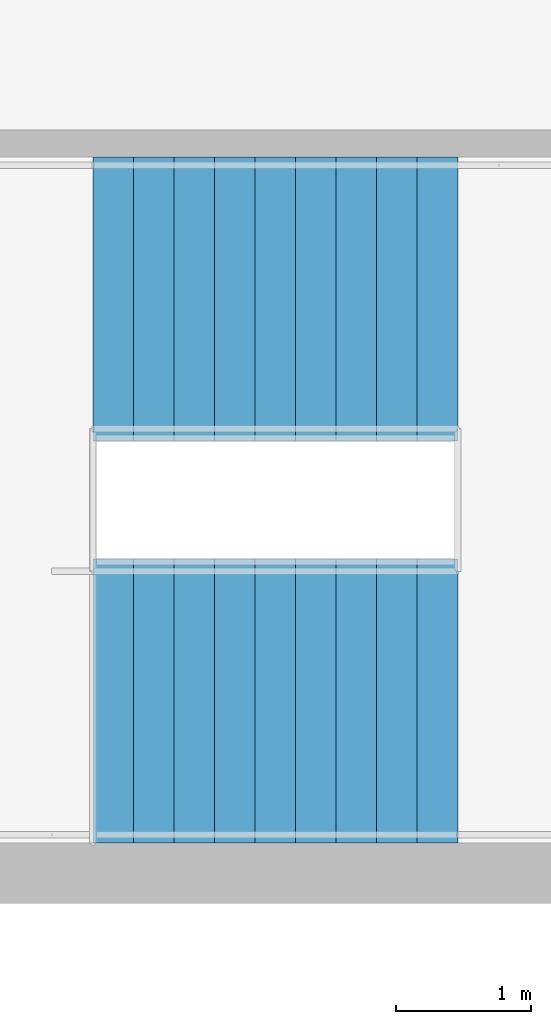
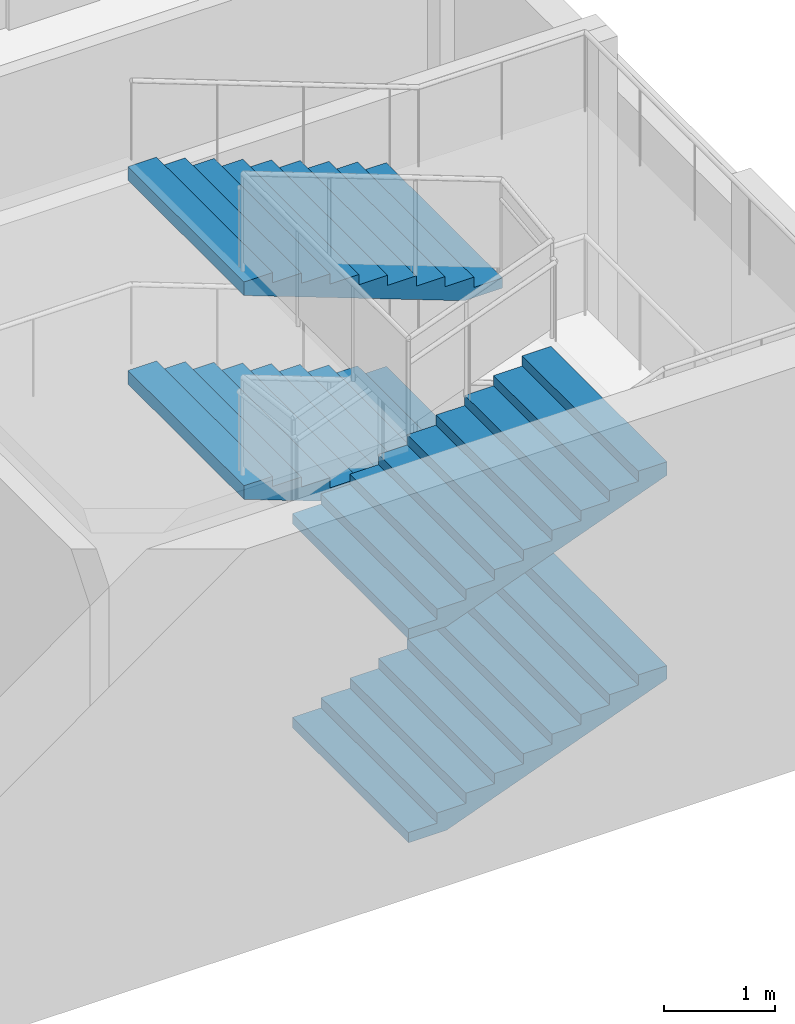
# One storey, part 40 of 56: 4 stair flights, 1 element without a shape of its own.
"""IFC4 building model written with IfcOpenShell, lengths in metres."""

from ifc_helpers import new_model, si_unit, direction, frame, origin, place, context, subcontext, project, spatial, faceted_brep, material, type_object, element, aggregate, save


model = new_model("IFC4")

# Units and contexts
model_context = context("Model", 3, precision=1e-05, world=origin(), true_north=direction((0.0, 1.0)))
body_context = subcontext(model_context, "Body", "Model", "MODEL_VIEW")
ifc_project = project(units=[si_unit("LENGTHUNIT", "METRE"), si_unit("AREAUNIT", "SQUARE_METRE"), si_unit("VOLUMEUNIT", "CUBIC_METRE"), si_unit("PLANEANGLEUNIT", "RADIAN"), si_unit("MASSUNIT", "GRAM", prefix="KILO")], contexts=[model_context])

# Site, building, storey
site_placement = place(None, origin())
site = spatial("IfcSite", under=ifc_project, at=site_placement, CompositionType="ELEMENT")
building_placement = place(site_placement, origin())
building = spatial("IfcBuilding", under=site, at=building_placement, Name="Rulbaag Community and Learning Centre", CompositionType="ELEMENT")
storey_placement = place(building_placement, frame((0.0, 0.0, 9.89990234375)))
storey = spatial("IfcBuildingStorey", under=building, at=storey_placement, Name="L02", CompositionType="ELEMENT", Elevation=9.89990234375)

# Stair, stair flights
ifc_material = material(Name="Concrete M40", Category="concrete")
stair_type = type_object("IfcStairType", Name="ST-2100 STAIR 2100 WIDE", PredefinedType="HALF_TURN_STAIR", material=ifc_material)
stair_placement = place(storey_placement, origin())
stair = element("IfcStair", 1, at=stair_placement, inside=storey, type_object=stair_type, Name="Stair ST-H10 L02", PredefinedType="HALF_TURN_STAIR")
stair_flight_type = type_object("IfcStairFlightType", Name="FL-2100 FLIGHT 2100 WIDE Concrete M40", PredefinedType="STRAIGHT", material=ifc_material)
stair_flight_1_placement = place(storey_placement, frame((162.824951171875, 1.27490234375, 0.0), z_axis=(0.0, 0.0, 1.0), x_axis=(1.0, 0.0, 0.0)))
stair_flight_1 = element("IfcStairFlight", 2, at=stair_flight_1_placement, type_object=stair_flight_type, Name="ST-H10 flight 1", NumberOfRisers=10, NumberOfTreads=9, PredefinedType="STRAIGHT", RiserHeight=0.1125, TreadLength=0.3, context=body_context, shape_type="Brep", body=[
    faceted_brep([(0.3984375, -1.050048828125, 0.0), (2.699951171875, -1.050048828125, 0.863037109375), (2.699951171875, -1.050048828125, 1.012451171875), (2.39990234375, -1.050048828125, 1.012451171875), (2.39990234375, -1.050048828125, 0.89990234375), (2.10009765625, -1.050048828125, 0.89990234375), (2.10009765625, -1.050048828125, 0.78759765625), (1.800048828125, -1.050048828125, 0.78759765625), (1.800048828125, -1.050048828125, 0.675048828125), (1.5, -1.050048828125, 0.675048828125), (1.5, -1.050048828125, 0.5625), (1.199951171875, -1.050048828125, 0.5625), (1.199951171875, -1.050048828125, 0.449951171875), (0.89990234375, -1.050048828125, 0.449951171875), (0.89990234375, -1.050048828125, 0.33740234375), (0.60009765625, -1.050048828125, 0.33740234375), (0.60009765625, -1.050048828125, 0.22509765625), (0.300048828125, -1.050048828125, 0.22509765625), (0.300048828125, -1.050048828125, 0.112548828125), (0.0, -1.050048828125, 0.112548828125), (0.0, -1.050048828125, 0.0), (0.0, 1.050048828125, 0.0), (0.0, 1.050048828125, 0.112548828125), (0.300048828125, 1.050048828125, 0.112548828125), (0.300048828125, 1.050048828125, 0.22509765625), (0.60009765625, 1.050048828125, 0.22509765625), (0.60009765625, 1.050048828125, 0.33740234375), (0.89990234375, 1.050048828125, 0.33740234375), (0.89990234375, 1.050048828125, 0.449951171875), (1.199951171875, 1.050048828125, 0.449951171875), (1.199951171875, 1.050048828125, 0.5625), (1.5, 1.050048828125, 0.5625), (1.5, 1.050048828125, 0.675048828125), (1.800048828125, 1.050048828125, 0.675048828125), (1.800048828125, 1.050048828125, 0.78759765625), (2.10009765625, 1.050048828125, 0.78759765625), (2.10009765625, 1.050048828125, 0.89990234375), (2.39990234375, 1.050048828125, 0.89990234375), (2.39990234375, 1.050048828125, 1.012451171875), (2.699951171875, 1.050048828125, 1.012451171875), (2.699951171875, 1.050048828125, 0.863037109375), (0.3984375, 1.050048828125, 0.0), (0.0, -0.52490234375, 0.112548828125), (0.0, -0.52490234375, 0.0), (0.0, 0.0, 0.112548828125), (0.0, 0.0, 0.0), (0.0, 0.52490234375, 0.112548828125), (0.0, 0.52490234375, 0.0), (0.300048828125, -0.52490234375, 0.112548828125), (0.300048828125, 0.0, 0.112548828125), (0.300048828125, 0.52490234375, 0.112548828125), (0.300048828125, -0.52490234375, 0.22509765625), (0.300048828125, 0.0, 0.22509765625), (0.300048828125, 0.52490234375, 0.22509765625), (0.60009765625, -0.52490234375, 0.22509765625), (0.60009765625, 0.0, 0.22509765625), (0.60009765625, 0.52490234375, 0.22509765625), (0.60009765625, -0.52490234375, 0.33740234375), (0.60009765625, 0.0, 0.33740234375), (0.60009765625, 0.52490234375, 0.33740234375), (0.89990234375, -0.52490234375, 0.33740234375), (0.89990234375, 0.0, 0.33740234375), (0.89990234375, 0.52490234375, 0.33740234375), (0.89990234375, -0.52490234375, 0.449951171875), (0.89990234375, 0.0, 0.449951171875), (0.89990234375, 0.52490234375, 0.449951171875), (1.199951171875, -0.52490234375, 0.449951171875), (1.199951171875, 0.0, 0.449951171875), (1.199951171875, 0.52490234375, 0.449951171875), (1.199951171875, -0.52490234375, 0.5625), (1.199951171875, 0.0, 0.5625), (1.199951171875, 0.52490234375, 0.5625), (1.5, -0.52490234375, 0.5625), (1.5, 0.0, 0.5625), (1.5, 0.52490234375, 0.5625), (1.5, -0.52490234375, 0.675048828125), (1.5, 0.0, 0.675048828125), (1.5, 0.52490234375, 0.675048828125), (1.800048828125, -0.52490234375, 0.675048828125), (1.800048828125, 0.0, 0.675048828125), (1.800048828125, 0.52490234375, 0.675048828125), (1.800048828125, -0.52490234375, 0.78759765625), (1.800048828125, 0.0, 0.78759765625), (1.800048828125, 0.52490234375, 0.78759765625), (2.10009765625, -0.52490234375, 0.78759765625), (2.10009765625, 0.0, 0.78759765625), (2.10009765625, 0.52490234375, 0.78759765625), (2.10009765625, -0.52490234375, 0.89990234375), (2.10009765625, 0.0, 0.89990234375), (2.10009765625, 0.52490234375, 0.89990234375), (2.39990234375, -0.52490234375, 0.89990234375), (2.39990234375, 0.0, 0.89990234375), (2.39990234375, 0.52490234375, 0.89990234375), (2.39990234375, -0.52490234375, 1.012451171875), (2.39990234375, 0.0, 1.012451171875), (2.39990234375, 0.52490234375, 1.012451171875), (2.699951171875, -0.52490234375, 1.012451171875), (2.699951171875, 0.0, 1.012451171875), (2.699951171875, 0.52490234375, 1.012451171875), (2.699951171875, -0.52490234375, 0.863037109375), (2.699951171875, 0.0, 0.863037109375), (2.699951171875, 0.52490234375, 0.863037109375), (0.3984375, -0.52490234375, 0.0), (0.3984375, 0.0, 0.0), (0.3984375, 0.52490234375, 0.0)], [[[0, 1, 2, 3, 4, 5, 6, 7, 8, 9, 10, 11, 12, 13, 14, 15, 16, 17, 18, 19, 20]], [[21, 22, 23, 24, 25, 26, 27, 28, 29, 30, 31, 32, 33, 34, 35, 36, 37, 38, 39, 40, 41]], [[20, 19, 42, 43]], [[43, 42, 44, 45]], [[45, 44, 46, 47]], [[47, 46, 22, 21]], [[19, 18, 48, 42]], [[42, 48, 49, 44]], [[44, 49, 50, 46]], [[46, 50, 23, 22]], [[18, 17, 51, 48]], [[48, 51, 52, 49]], [[49, 52, 53, 50]], [[50, 53, 24, 23]], [[17, 16, 54, 51]], [[51, 54, 55, 52]], [[52, 55, 56, 53]], [[53, 56, 25, 24]], [[16, 15, 57, 54]], [[54, 57, 58, 55]], [[55, 58, 59, 56]], [[56, 59, 26, 25]], [[15, 14, 60, 57]], [[57, 60, 61, 58]], [[58, 61, 62, 59]], [[59, 62, 27, 26]], [[14, 13, 63, 60]], [[60, 63, 64, 61]], [[61, 64, 65, 62]], [[62, 65, 28, 27]], [[13, 12, 66, 63]], [[63, 66, 67, 64]], [[64, 67, 68, 65]], [[65, 68, 29, 28]], [[12, 11, 69, 66]], [[66, 69, 70, 67]], [[67, 70, 71, 68]], [[68, 71, 30, 29]], [[11, 10, 72, 69]], [[69, 72, 73, 70]], [[70, 73, 74, 71]], [[71, 74, 31, 30]], [[10, 9, 75, 72]], [[72, 75, 76, 73]], [[73, 76, 77, 74]], [[74, 77, 32, 31]], [[9, 8, 78, 75]], [[75, 78, 79, 76]], [[76, 79, 80, 77]], [[77, 80, 33, 32]], [[8, 7, 81, 78]], [[78, 81, 82, 79]], [[79, 82, 83, 80]], [[80, 83, 34, 33]], [[7, 6, 84, 81]], [[81, 84, 85, 82]], [[82, 85, 86, 83]], [[83, 86, 35, 34]], [[6, 5, 87, 84]], [[84, 87, 88, 85]], [[85, 88, 89, 86]], [[86, 89, 36, 35]], [[5, 4, 90, 87]], [[87, 90, 91, 88]], [[88, 91, 92, 89]], [[89, 92, 37, 36]], [[4, 3, 93, 90]], [[90, 93, 94, 91]], [[91, 94, 95, 92]], [[92, 95, 38, 37]], [[3, 2, 96, 93]], [[93, 96, 97, 94]], [[94, 97, 98, 95]], [[95, 98, 39, 38]], [[2, 1, 99, 96]], [[96, 99, 100, 97]], [[97, 100, 101, 98]], [[98, 101, 40, 39]], [[1, 0, 102, 99]], [[99, 102, 103, 100]], [[100, 103, 104, 101]], [[101, 104, 41, 40]], [[0, 20, 43, 102]], [[102, 43, 45, 103]], [[103, 45, 47, 104]], [[104, 47, 21, 41]]]),
])
stair_flight_2_placement = place(storey_placement, frame((165.52490234375, 4.25, 1.125), z_axis=(0.0, 0.0, 1.0), x_axis=(-1.0, 0.0, 0.0)))
stair_flight_2 = element("IfcStairFlight", 3, at=stair_flight_2_placement, type_object=stair_flight_type, Name="ST-H10 flight 2", NumberOfRisers=10, NumberOfTreads=9, PredefinedType="STRAIGHT", RiserHeight=0.1125, TreadLength=0.3, context=body_context, shape_type="Brep", body=[
    faceted_brep([(0.3984375, -1.050048828125, 0.0), (2.699951171875, -1.050048828125, 0.863037109375), (2.699951171875, -1.050048828125, 1.012451171875), (2.39990234375, -1.050048828125, 1.012451171875), (2.39990234375, -1.050048828125, 0.89990234375), (2.10009765625, -1.050048828125, 0.89990234375), (2.10009765625, -1.050048828125, 0.78759765625), (1.800048828125, -1.050048828125, 0.78759765625), (1.800048828125, -1.050048828125, 0.675048828125), (1.5, -1.050048828125, 0.675048828125), (1.5, -1.050048828125, 0.5625), (1.199951171875, -1.050048828125, 0.5625), (1.199951171875, -1.050048828125, 0.449951171875), (0.89990234375, -1.050048828125, 0.449951171875), (0.89990234375, -1.050048828125, 0.33740234375), (0.60009765625, -1.050048828125, 0.33740234375), (0.60009765625, -1.050048828125, 0.22509765625), (0.300048828125, -1.050048828125, 0.22509765625), (0.300048828125, -1.050048828125, 0.112548828125), (0.0, -1.050048828125, 0.112548828125), (0.0, -1.050048828125, 0.0), (0.0, 1.050048828125, 0.0), (0.0, 1.050048828125, 0.112548828125), (0.300048828125, 1.050048828125, 0.112548828125), (0.300048828125, 1.050048828125, 0.22509765625), (0.60009765625, 1.050048828125, 0.22509765625), (0.60009765625, 1.050048828125, 0.33740234375), (0.89990234375, 1.050048828125, 0.33740234375), (0.89990234375, 1.050048828125, 0.449951171875), (1.199951171875, 1.050048828125, 0.449951171875), (1.199951171875, 1.050048828125, 0.5625), (1.5, 1.050048828125, 0.5625), (1.5, 1.050048828125, 0.675048828125), (1.800048828125, 1.050048828125, 0.675048828125), (1.800048828125, 1.050048828125, 0.78759765625), (2.10009765625, 1.050048828125, 0.78759765625), (2.10009765625, 1.050048828125, 0.89990234375), (2.39990234375, 1.050048828125, 0.89990234375), (2.39990234375, 1.050048828125, 1.012451171875), (2.699951171875, 1.050048828125, 1.012451171875), (2.699951171875, 1.050048828125, 0.863037109375), (0.3984375, 1.050048828125, 0.0), (0.0, -0.52490234375, 0.112548828125), (0.0, -0.52490234375, 0.0), (0.0, 0.0, 0.112548828125), (0.0, 0.0, 0.0), (0.0, 0.52490234375, 0.112548828125), (0.0, 0.52490234375, 0.0), (0.300048828125, -0.52490234375, 0.112548828125), (0.300048828125, 0.0, 0.112548828125), (0.300048828125, 0.52490234375, 0.112548828125), (0.300048828125, -0.52490234375, 0.22509765625), (0.300048828125, 0.0, 0.22509765625), (0.300048828125, 0.52490234375, 0.22509765625), (0.60009765625, -0.52490234375, 0.22509765625), (0.60009765625, 0.0, 0.22509765625), (0.60009765625, 0.52490234375, 0.22509765625), (0.60009765625, -0.52490234375, 0.33740234375), (0.60009765625, 0.0, 0.33740234375), (0.60009765625, 0.52490234375, 0.33740234375), (0.89990234375, -0.52490234375, 0.33740234375), (0.89990234375, 0.0, 0.33740234375), (0.89990234375, 0.52490234375, 0.33740234375), (0.89990234375, -0.52490234375, 0.449951171875), (0.89990234375, 0.0, 0.449951171875), (0.89990234375, 0.52490234375, 0.449951171875), (1.199951171875, -0.52490234375, 0.449951171875), (1.199951171875, 0.0, 0.449951171875), (1.199951171875, 0.52490234375, 0.449951171875), (1.199951171875, -0.52490234375, 0.5625), (1.199951171875, 0.0, 0.5625), (1.199951171875, 0.52490234375, 0.5625), (1.5, -0.52490234375, 0.5625), (1.5, 0.0, 0.5625), (1.5, 0.52490234375, 0.5625), (1.5, -0.52490234375, 0.675048828125), (1.5, 0.0, 0.675048828125), (1.5, 0.52490234375, 0.675048828125), (1.800048828125, -0.52490234375, 0.675048828125), (1.800048828125, 0.0, 0.675048828125), (1.800048828125, 0.52490234375, 0.675048828125), (1.800048828125, -0.52490234375, 0.78759765625), (1.800048828125, 0.0, 0.78759765625), (1.800048828125, 0.52490234375, 0.78759765625), (2.10009765625, -0.52490234375, 0.78759765625), (2.10009765625, 0.0, 0.78759765625), (2.10009765625, 0.52490234375, 0.78759765625), (2.10009765625, -0.52490234375, 0.89990234375), (2.10009765625, 0.0, 0.89990234375), (2.10009765625, 0.52490234375, 0.89990234375), (2.39990234375, -0.52490234375, 0.89990234375), (2.39990234375, 0.0, 0.89990234375), (2.39990234375, 0.52490234375, 0.89990234375), (2.39990234375, -0.52490234375, 1.012451171875), (2.39990234375, 0.0, 1.012451171875), (2.39990234375, 0.52490234375, 1.012451171875), (2.699951171875, -0.52490234375, 1.012451171875), (2.699951171875, 0.0, 1.012451171875), (2.699951171875, 0.52490234375, 1.012451171875), (2.699951171875, -0.52490234375, 0.863037109375), (2.699951171875, 0.0, 0.863037109375), (2.699951171875, 0.52490234375, 0.863037109375), (0.3984375, -0.52490234375, 0.0), (0.3984375, 0.0, 0.0), (0.3984375, 0.52490234375, 0.0)], [[[0, 1, 2, 3, 4, 5, 6, 7, 8, 9, 10, 11, 12, 13, 14, 15, 16, 17, 18, 19, 20]], [[21, 22, 23, 24, 25, 26, 27, 28, 29, 30, 31, 32, 33, 34, 35, 36, 37, 38, 39, 40, 41]], [[20, 19, 42, 43]], [[43, 42, 44, 45]], [[45, 44, 46, 47]], [[47, 46, 22, 21]], [[19, 18, 48, 42]], [[42, 48, 49, 44]], [[44, 49, 50, 46]], [[46, 50, 23, 22]], [[18, 17, 51, 48]], [[48, 51, 52, 49]], [[49, 52, 53, 50]], [[50, 53, 24, 23]], [[17, 16, 54, 51]], [[51, 54, 55, 52]], [[52, 55, 56, 53]], [[53, 56, 25, 24]], [[16, 15, 57, 54]], [[54, 57, 58, 55]], [[55, 58, 59, 56]], [[56, 59, 26, 25]], [[15, 14, 60, 57]], [[57, 60, 61, 58]], [[58, 61, 62, 59]], [[59, 62, 27, 26]], [[14, 13, 63, 60]], [[60, 63, 64, 61]], [[61, 64, 65, 62]], [[62, 65, 28, 27]], [[13, 12, 66, 63]], [[63, 66, 67, 64]], [[64, 67, 68, 65]], [[65, 68, 29, 28]], [[12, 11, 69, 66]], [[66, 69, 70, 67]], [[67, 70, 71, 68]], [[68, 71, 30, 29]], [[11, 10, 72, 69]], [[69, 72, 73, 70]], [[70, 73, 74, 71]], [[71, 74, 31, 30]], [[10, 9, 75, 72]], [[72, 75, 76, 73]], [[73, 76, 77, 74]], [[74, 77, 32, 31]], [[9, 8, 78, 75]], [[75, 78, 79, 76]], [[76, 79, 80, 77]], [[77, 80, 33, 32]], [[8, 7, 81, 78]], [[78, 81, 82, 79]], [[79, 82, 83, 80]], [[80, 83, 34, 33]], [[7, 6, 84, 81]], [[81, 84, 85, 82]], [[82, 85, 86, 83]], [[83, 86, 35, 34]], [[6, 5, 87, 84]], [[84, 87, 88, 85]], [[85, 88, 89, 86]], [[86, 89, 36, 35]], [[5, 4, 90, 87]], [[87, 90, 91, 88]], [[88, 91, 92, 89]], [[89, 92, 37, 36]], [[4, 3, 93, 90]], [[90, 93, 94, 91]], [[91, 94, 95, 92]], [[92, 95, 38, 37]], [[3, 2, 96, 93]], [[93, 96, 97, 94]], [[94, 97, 98, 95]], [[95, 98, 39, 38]], [[2, 1, 99, 96]], [[96, 99, 100, 97]], [[97, 100, 101, 98]], [[98, 101, 40, 39]], [[1, 0, 102, 99]], [[99, 102, 103, 100]], [[100, 103, 104, 101]], [[101, 104, 41, 40]], [[0, 20, 43, 102]], [[102, 43, 45, 103]], [[103, 45, 47, 104]], [[104, 47, 21, 41]]]),
])
stair_flight_3_placement = place(storey_placement, frame((162.824951171875, 1.27490234375, 2.25), z_axis=(0.0, 0.0, 1.0), x_axis=(1.0, 0.0, 0.0)))
stair_flight_3 = element("IfcStairFlight", 4, at=stair_flight_3_placement, type_object=stair_flight_type, Name="ST-H10 flight 3", NumberOfRisers=10, NumberOfTreads=9, PredefinedType="STRAIGHT", RiserHeight=0.1125, TreadLength=0.3, context=body_context, shape_type="Brep", body=[
    faceted_brep([(0.3984375, -1.050048828125, 0.0), (2.699951171875, -1.050048828125, 0.863037109375), (2.699951171875, -1.050048828125, 1.012451171875), (2.39990234375, -1.050048828125, 1.012451171875), (2.39990234375, -1.050048828125, 0.89990234375), (2.10009765625, -1.050048828125, 0.89990234375), (2.10009765625, -1.050048828125, 0.78759765625), (1.800048828125, -1.050048828125, 0.78759765625), (1.800048828125, -1.050048828125, 0.675048828125), (1.5, -1.050048828125, 0.675048828125), (1.5, -1.050048828125, 0.5625), (1.199951171875, -1.050048828125, 0.5625), (1.199951171875, -1.050048828125, 0.449951171875), (0.89990234375, -1.050048828125, 0.449951171875), (0.89990234375, -1.050048828125, 0.33740234375), (0.60009765625, -1.050048828125, 0.33740234375), (0.60009765625, -1.050048828125, 0.22509765625), (0.300048828125, -1.050048828125, 0.22509765625), (0.300048828125, -1.050048828125, 0.112548828125), (0.0, -1.050048828125, 0.112548828125), (0.0, -1.050048828125, 0.0), (0.0, 1.050048828125, 0.0), (0.0, 1.050048828125, 0.112548828125), (0.300048828125, 1.050048828125, 0.112548828125), (0.300048828125, 1.050048828125, 0.22509765625), (0.60009765625, 1.050048828125, 0.22509765625), (0.60009765625, 1.050048828125, 0.33740234375), (0.89990234375, 1.050048828125, 0.33740234375), (0.89990234375, 1.050048828125, 0.449951171875), (1.199951171875, 1.050048828125, 0.449951171875), (1.199951171875, 1.050048828125, 0.5625), (1.5, 1.050048828125, 0.5625), (1.5, 1.050048828125, 0.675048828125), (1.800048828125, 1.050048828125, 0.675048828125), (1.800048828125, 1.050048828125, 0.78759765625), (2.10009765625, 1.050048828125, 0.78759765625), (2.10009765625, 1.050048828125, 0.89990234375), (2.39990234375, 1.050048828125, 0.89990234375), (2.39990234375, 1.050048828125, 1.012451171875), (2.699951171875, 1.050048828125, 1.012451171875), (2.699951171875, 1.050048828125, 0.863037109375), (0.3984375, 1.050048828125, 0.0), (0.0, -0.52490234375, 0.112548828125), (0.0, -0.52490234375, 0.0), (0.0, 0.0, 0.112548828125), (0.0, 0.0, 0.0), (0.0, 0.52490234375, 0.112548828125), (0.0, 0.52490234375, 0.0), (0.300048828125, -0.52490234375, 0.112548828125), (0.300048828125, 0.0, 0.112548828125), (0.300048828125, 0.52490234375, 0.112548828125), (0.300048828125, -0.52490234375, 0.22509765625), (0.300048828125, 0.0, 0.22509765625), (0.300048828125, 0.52490234375, 0.22509765625), (0.60009765625, -0.52490234375, 0.22509765625), (0.60009765625, 0.0, 0.22509765625), (0.60009765625, 0.52490234375, 0.22509765625), (0.60009765625, -0.52490234375, 0.33740234375), (0.60009765625, 0.0, 0.33740234375), (0.60009765625, 0.52490234375, 0.33740234375), (0.89990234375, -0.52490234375, 0.33740234375), (0.89990234375, 0.0, 0.33740234375), (0.89990234375, 0.52490234375, 0.33740234375), (0.89990234375, -0.52490234375, 0.449951171875), (0.89990234375, 0.0, 0.449951171875), (0.89990234375, 0.52490234375, 0.449951171875), (1.199951171875, -0.52490234375, 0.449951171875), (1.199951171875, 0.0, 0.449951171875), (1.199951171875, 0.52490234375, 0.449951171875), (1.199951171875, -0.52490234375, 0.5625), (1.199951171875, 0.0, 0.5625), (1.199951171875, 0.52490234375, 0.5625), (1.5, -0.52490234375, 0.5625), (1.5, 0.0, 0.5625), (1.5, 0.52490234375, 0.5625), (1.5, -0.52490234375, 0.675048828125), (1.5, 0.0, 0.675048828125), (1.5, 0.52490234375, 0.675048828125), (1.800048828125, -0.52490234375, 0.675048828125), (1.800048828125, 0.0, 0.675048828125), (1.800048828125, 0.52490234375, 0.675048828125), (1.800048828125, -0.52490234375, 0.78759765625), (1.800048828125, 0.0, 0.78759765625), (1.800048828125, 0.52490234375, 0.78759765625), (2.10009765625, -0.52490234375, 0.78759765625), (2.10009765625, 0.0, 0.78759765625), (2.10009765625, 0.52490234375, 0.78759765625), (2.10009765625, -0.52490234375, 0.89990234375), (2.10009765625, 0.0, 0.89990234375), (2.10009765625, 0.52490234375, 0.89990234375), (2.39990234375, -0.52490234375, 0.89990234375), (2.39990234375, 0.0, 0.89990234375), (2.39990234375, 0.52490234375, 0.89990234375), (2.39990234375, -0.52490234375, 1.012451171875), (2.39990234375, 0.0, 1.012451171875), (2.39990234375, 0.52490234375, 1.012451171875), (2.699951171875, -0.52490234375, 1.012451171875), (2.699951171875, 0.0, 1.012451171875), (2.699951171875, 0.52490234375, 1.012451171875), (2.699951171875, -0.52490234375, 0.863037109375), (2.699951171875, 0.0, 0.863037109375), (2.699951171875, 0.52490234375, 0.863037109375), (0.3984375, -0.52490234375, 0.0), (0.3984375, 0.0, 0.0), (0.3984375, 0.52490234375, 0.0)], [[[0, 1, 2, 3, 4, 5, 6, 7, 8, 9, 10, 11, 12, 13, 14, 15, 16, 17, 18, 19, 20]], [[21, 22, 23, 24, 25, 26, 27, 28, 29, 30, 31, 32, 33, 34, 35, 36, 37, 38, 39, 40, 41]], [[20, 19, 42, 43]], [[43, 42, 44, 45]], [[45, 44, 46, 47]], [[47, 46, 22, 21]], [[19, 18, 48, 42]], [[42, 48, 49, 44]], [[44, 49, 50, 46]], [[46, 50, 23, 22]], [[18, 17, 51, 48]], [[48, 51, 52, 49]], [[49, 52, 53, 50]], [[50, 53, 24, 23]], [[17, 16, 54, 51]], [[51, 54, 55, 52]], [[52, 55, 56, 53]], [[53, 56, 25, 24]], [[16, 15, 57, 54]], [[54, 57, 58, 55]], [[55, 58, 59, 56]], [[56, 59, 26, 25]], [[15, 14, 60, 57]], [[57, 60, 61, 58]], [[58, 61, 62, 59]], [[59, 62, 27, 26]], [[14, 13, 63, 60]], [[60, 63, 64, 61]], [[61, 64, 65, 62]], [[62, 65, 28, 27]], [[13, 12, 66, 63]], [[63, 66, 67, 64]], [[64, 67, 68, 65]], [[65, 68, 29, 28]], [[12, 11, 69, 66]], [[66, 69, 70, 67]], [[67, 70, 71, 68]], [[68, 71, 30, 29]], [[11, 10, 72, 69]], [[69, 72, 73, 70]], [[70, 73, 74, 71]], [[71, 74, 31, 30]], [[10, 9, 75, 72]], [[72, 75, 76, 73]], [[73, 76, 77, 74]], [[74, 77, 32, 31]], [[9, 8, 78, 75]], [[75, 78, 79, 76]], [[76, 79, 80, 77]], [[77, 80, 33, 32]], [[8, 7, 81, 78]], [[78, 81, 82, 79]], [[79, 82, 83, 80]], [[80, 83, 34, 33]], [[7, 6, 84, 81]], [[81, 84, 85, 82]], [[82, 85, 86, 83]], [[83, 86, 35, 34]], [[6, 5, 87, 84]], [[84, 87, 88, 85]], [[85, 88, 89, 86]], [[86, 89, 36, 35]], [[5, 4, 90, 87]], [[87, 90, 91, 88]], [[88, 91, 92, 89]], [[89, 92, 37, 36]], [[4, 3, 93, 90]], [[90, 93, 94, 91]], [[91, 94, 95, 92]], [[92, 95, 38, 37]], [[3, 2, 96, 93]], [[93, 96, 97, 94]], [[94, 97, 98, 95]], [[95, 98, 39, 38]], [[2, 1, 99, 96]], [[96, 99, 100, 97]], [[97, 100, 101, 98]], [[98, 101, 40, 39]], [[1, 0, 102, 99]], [[99, 102, 103, 100]], [[100, 103, 104, 101]], [[101, 104, 41, 40]], [[0, 20, 43, 102]], [[102, 43, 45, 103]], [[103, 45, 47, 104]], [[104, 47, 21, 41]]]),
])
stair_flight_4_placement = place(storey_placement, frame((165.52490234375, 4.25, 3.375), z_axis=(0.0, 0.0, 1.0), x_axis=(-1.0, 0.0, 0.0)))
stair_flight_4 = element("IfcStairFlight", 5, at=stair_flight_4_placement, type_object=stair_flight_type, Name="ST-H10 flight 4", NumberOfRisers=10, NumberOfTreads=9, PredefinedType="STRAIGHT", RiserHeight=0.1125, TreadLength=0.3, context=body_context, shape_type="Brep", body=[
    faceted_brep([(0.3984375, -1.050048828125, 0.0), (2.699951171875, -1.050048828125, 0.863037109375), (2.699951171875, -1.050048828125, 1.012451171875), (2.39990234375, -1.050048828125, 1.012451171875), (2.39990234375, -1.050048828125, 0.89990234375), (2.10009765625, -1.050048828125, 0.89990234375), (2.10009765625, -1.050048828125, 0.78759765625), (1.800048828125, -1.050048828125, 0.78759765625), (1.800048828125, -1.050048828125, 0.675048828125), (1.5, -1.050048828125, 0.675048828125), (1.5, -1.050048828125, 0.5625), (1.199951171875, -1.050048828125, 0.5625), (1.199951171875, -1.050048828125, 0.449951171875), (0.89990234375, -1.050048828125, 0.449951171875), (0.89990234375, -1.050048828125, 0.33740234375), (0.60009765625, -1.050048828125, 0.33740234375), (0.60009765625, -1.050048828125, 0.22509765625), (0.300048828125, -1.050048828125, 0.22509765625), (0.300048828125, -1.050048828125, 0.112548828125), (0.0, -1.050048828125, 0.112548828125), (0.0, -1.050048828125, 0.0), (0.0, 1.050048828125, 0.0), (0.0, 1.050048828125, 0.112548828125), (0.300048828125, 1.050048828125, 0.112548828125), (0.300048828125, 1.050048828125, 0.22509765625), (0.60009765625, 1.050048828125, 0.22509765625), (0.60009765625, 1.050048828125, 0.33740234375), (0.89990234375, 1.050048828125, 0.33740234375), (0.89990234375, 1.050048828125, 0.449951171875), (1.199951171875, 1.050048828125, 0.449951171875), (1.199951171875, 1.050048828125, 0.5625), (1.5, 1.050048828125, 0.5625), (1.5, 1.050048828125, 0.675048828125), (1.800048828125, 1.050048828125, 0.675048828125), (1.800048828125, 1.050048828125, 0.78759765625), (2.10009765625, 1.050048828125, 0.78759765625), (2.10009765625, 1.050048828125, 0.89990234375), (2.39990234375, 1.050048828125, 0.89990234375), (2.39990234375, 1.050048828125, 1.012451171875), (2.699951171875, 1.050048828125, 1.012451171875), (2.699951171875, 1.050048828125, 0.863037109375), (0.3984375, 1.050048828125, 0.0), (0.0, -0.52490234375, 0.112548828125), (0.0, -0.52490234375, 0.0), (0.0, 0.0, 0.112548828125), (0.0, 0.0, 0.0), (0.0, 0.52490234375, 0.112548828125), (0.0, 0.52490234375, 0.0), (0.300048828125, -0.52490234375, 0.112548828125), (0.300048828125, 0.0, 0.112548828125), (0.300048828125, 0.52490234375, 0.112548828125), (0.300048828125, -0.52490234375, 0.22509765625), (0.300048828125, 0.0, 0.22509765625), (0.300048828125, 0.52490234375, 0.22509765625), (0.60009765625, -0.52490234375, 0.22509765625), (0.60009765625, 0.0, 0.22509765625), (0.60009765625, 0.52490234375, 0.22509765625), (0.60009765625, -0.52490234375, 0.33740234375), (0.60009765625, 0.0, 0.33740234375), (0.60009765625, 0.52490234375, 0.33740234375), (0.89990234375, -0.52490234375, 0.33740234375), (0.89990234375, 0.0, 0.33740234375), (0.89990234375, 0.52490234375, 0.33740234375), (0.89990234375, -0.52490234375, 0.449951171875), (0.89990234375, 0.0, 0.449951171875), (0.89990234375, 0.52490234375, 0.449951171875), (1.199951171875, -0.52490234375, 0.449951171875), (1.199951171875, 0.0, 0.449951171875), (1.199951171875, 0.52490234375, 0.449951171875), (1.199951171875, -0.52490234375, 0.5625), (1.199951171875, 0.0, 0.5625), (1.199951171875, 0.52490234375, 0.5625), (1.5, -0.52490234375, 0.5625), (1.5, 0.0, 0.5625), (1.5, 0.52490234375, 0.5625), (1.5, -0.52490234375, 0.675048828125), (1.5, 0.0, 0.675048828125), (1.5, 0.52490234375, 0.675048828125), (1.800048828125, -0.52490234375, 0.675048828125), (1.800048828125, 0.0, 0.675048828125), (1.800048828125, 0.52490234375, 0.675048828125), (1.800048828125, -0.52490234375, 0.78759765625), (1.800048828125, 0.0, 0.78759765625), (1.800048828125, 0.52490234375, 0.78759765625), (2.10009765625, -0.52490234375, 0.78759765625), (2.10009765625, 0.0, 0.78759765625), (2.10009765625, 0.52490234375, 0.78759765625), (2.10009765625, -0.52490234375, 0.89990234375), (2.10009765625, 0.0, 0.89990234375), (2.10009765625, 0.52490234375, 0.89990234375), (2.39990234375, -0.52490234375, 0.89990234375), (2.39990234375, 0.0, 0.89990234375), (2.39990234375, 0.52490234375, 0.89990234375), (2.39990234375, -0.52490234375, 1.012451171875), (2.39990234375, 0.0, 1.012451171875), (2.39990234375, 0.52490234375, 1.012451171875), (2.699951171875, -0.52490234375, 1.012451171875), (2.699951171875, 0.0, 1.012451171875), (2.699951171875, 0.52490234375, 1.012451171875), (2.699951171875, -0.52490234375, 0.863037109375), (2.699951171875, 0.0, 0.863037109375), (2.699951171875, 0.52490234375, 0.863037109375), (0.3984375, -0.52490234375, 0.0), (0.3984375, 0.0, 0.0), (0.3984375, 0.52490234375, 0.0)], [[[0, 1, 2, 3, 4, 5, 6, 7, 8, 9, 10, 11, 12, 13, 14, 15, 16, 17, 18, 19, 20]], [[21, 22, 23, 24, 25, 26, 27, 28, 29, 30, 31, 32, 33, 34, 35, 36, 37, 38, 39, 40, 41]], [[20, 19, 42, 43]], [[43, 42, 44, 45]], [[45, 44, 46, 47]], [[47, 46, 22, 21]], [[19, 18, 48, 42]], [[42, 48, 49, 44]], [[44, 49, 50, 46]], [[46, 50, 23, 22]], [[18, 17, 51, 48]], [[48, 51, 52, 49]], [[49, 52, 53, 50]], [[50, 53, 24, 23]], [[17, 16, 54, 51]], [[51, 54, 55, 52]], [[52, 55, 56, 53]], [[53, 56, 25, 24]], [[16, 15, 57, 54]], [[54, 57, 58, 55]], [[55, 58, 59, 56]], [[56, 59, 26, 25]], [[15, 14, 60, 57]], [[57, 60, 61, 58]], [[58, 61, 62, 59]], [[59, 62, 27, 26]], [[14, 13, 63, 60]], [[60, 63, 64, 61]], [[61, 64, 65, 62]], [[62, 65, 28, 27]], [[13, 12, 66, 63]], [[63, 66, 67, 64]], [[64, 67, 68, 65]], [[65, 68, 29, 28]], [[12, 11, 69, 66]], [[66, 69, 70, 67]], [[67, 70, 71, 68]], [[68, 71, 30, 29]], [[11, 10, 72, 69]], [[69, 72, 73, 70]], [[70, 73, 74, 71]], [[71, 74, 31, 30]], [[10, 9, 75, 72]], [[72, 75, 76, 73]], [[73, 76, 77, 74]], [[74, 77, 32, 31]], [[9, 8, 78, 75]], [[75, 78, 79, 76]], [[76, 79, 80, 77]], [[77, 80, 33, 32]], [[8, 7, 81, 78]], [[78, 81, 82, 79]], [[79, 82, 83, 80]], [[80, 83, 34, 33]], [[7, 6, 84, 81]], [[81, 84, 85, 82]], [[82, 85, 86, 83]], [[83, 86, 35, 34]], [[6, 5, 87, 84]], [[84, 87, 88, 85]], [[85, 88, 89, 86]], [[86, 89, 36, 35]], [[5, 4, 90, 87]], [[87, 90, 91, 88]], [[88, 91, 92, 89]], [[89, 92, 37, 36]], [[4, 3, 93, 90]], [[90, 93, 94, 91]], [[91, 94, 95, 92]], [[92, 95, 38, 37]], [[3, 2, 96, 93]], [[93, 96, 97, 94]], [[94, 97, 98, 95]], [[95, 98, 39, 38]], [[2, 1, 99, 96]], [[96, 99, 100, 97]], [[97, 100, 101, 98]], [[98, 101, 40, 39]], [[1, 0, 102, 99]], [[99, 102, 103, 100]], [[100, 103, 104, 101]], [[101, 104, 41, 40]], [[0, 20, 43, 102]], [[102, 43, 45, 103]], [[103, 45, 47, 104]], [[104, 47, 21, 41]]]),
])
aggregate(stair, [stair_flight_1, stair_flight_2, stair_flight_3, stair_flight_4])

save(model, "model.ifc")
